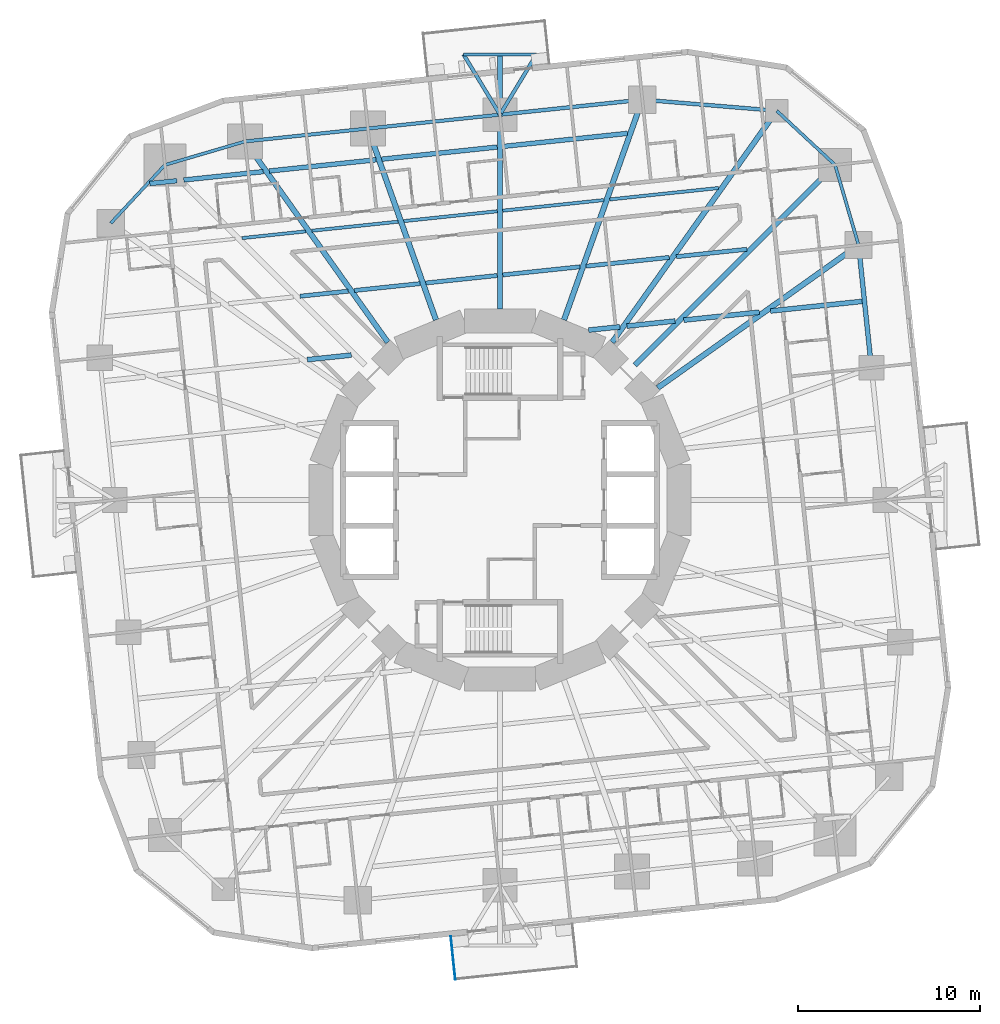
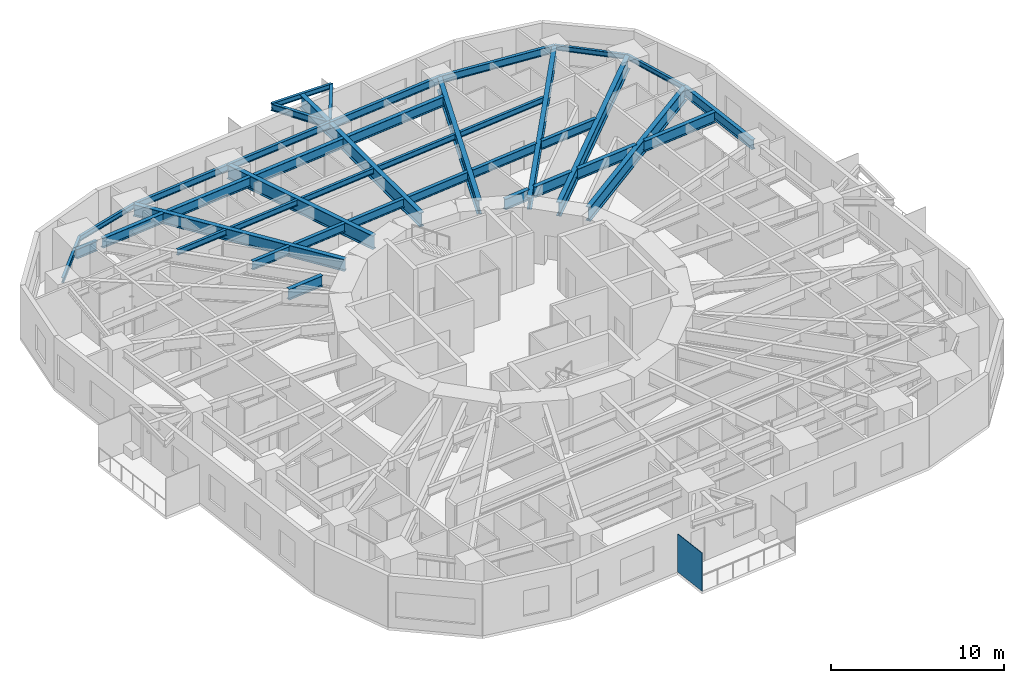
# One storey, part 3 of 13: 40 beams, 1 plate.
"""IFC4 building model written with IfcOpenShell, lengths in metres."""

from ifc_helpers import new_model, si_unit, direction, frame, origin, origin_2d, place, context, subcontext, project, spatial, rectangle, i_section, extrude, material, layer, layer_set, material_profile, profile_set, type_object, element, save


model = new_model("IFC4")

# Units and contexts
model_context = context("Model", 3, precision=1e-05, world=origin(), true_north=direction((0.0, 1.0)))
body_context = subcontext(model_context, "Body", "Model", "MODEL_VIEW")
ifc_project = project(units=[si_unit("LENGTHUNIT", "METRE"), si_unit("AREAUNIT", "SQUARE_METRE"), si_unit("VOLUMEUNIT", "CUBIC_METRE"), si_unit("PLANEANGLEUNIT", "RADIAN"), si_unit("MASSUNIT", "GRAM", prefix="KILO")], contexts=[model_context])

# Site, building, storey
site_placement = place(None, origin())
site = spatial("IfcSite", under=ifc_project, at=site_placement, CompositionType="ELEMENT")
building_placement = place(site_placement, origin())
building = spatial("IfcBuilding", under=site, at=building_placement, Name="Nakasero Lantern House", CompositionType="ELEMENT")
storey_placement = place(building_placement, frame((0.0, 0.0, 75.89990234375)))
storey = spatial("IfcBuildingStorey", under=building, at=storey_placement, Name="L18", CompositionType="ELEMENT", Elevation=75.89990234375)

# Beams
ifc_material_1 = material(Name="Steel S355", Category="steel")
ifc_material_profile_1 = material_profile(ifc_material_1, i_section(OverallWidth=0.199462890625, OverallDepth=0.491943359375, WebThickness=0.01806640625, FlangeThickness=0.031982421875, FilletRadius=0.01025390625, at=origin_2d()), Name="UB 457x191x161")
ifc_profile_set_1 = profile_set([ifc_material_profile_1], Name="Steel S355")
beam_type_1 = type_object("IfcBeamType", Name="Balcony splay beam UB 457x191x161", PredefinedType="BEAM", material=ifc_profile_set_1)
for number, where, z_axis, x_axis, name in (
    (1, (0.0, 21.11572265625, 3.404052734375), (-0.518296107317, 0.855201230787, 0.0), (-0.855201230787, -0.518296107317, 0.0), "Balcony splay beam L19 B2-C09A"),
    (2, (0.0, 21.11572265625, 3.404052734375), (0.518296107317, 0.855201230787, 0.0), (-0.855201230787, 0.518296107317, 0.0), "Balcony splay beam L19 B2-C09B"),
):
    element("IfcBeam", number, at=place(storey_placement, frame(where, z_axis=z_axis, x_axis=x_axis)), inside=storey, type_object=beam_type_1, Name=name, PredefinedType="BEAM", context=body_context, shape_type="SweptSolid", body=[
        extrude(i_section(OverallWidth=0.199462890625, OverallDepth=0.491943359375, WebThickness=0.01806640625, FlangeThickness=0.031982421875, FilletRadius=0.01025390625, at=origin_2d()), origin(), (0.0, 0.0, 1.0), 3.85888671875),
    ])
ifc_material_2 = material(Name="Steel S355", Category="steel")
ifc_material_profile_2 = material_profile(ifc_material_2, i_section(OverallWidth=0.17138671875, OverallDepth=0.35498046875, WebThickness=0.00732421875, FlangeThickness=0.011474609375, FilletRadius=0.01025390625, at=origin_2d()), Name="UB 356x171x51")
ifc_profile_set_2 = profile_set([ifc_material_profile_2], Name="Steel S355")
beam_type_2 = type_object("IfcBeamType", Name="Balcony tie beam UB 356x171x51", PredefinedType="BEAM", material=ifc_profile_set_2)
beam_1_placement = place(storey_placement, frame((-2.0, 24.415771484375, 3.47265625), z_axis=(1.0, 0.0, 0.0), x_axis=(0.0, 1.0, 0.0)))
element("IfcBeam", 3, at=beam_1_placement, inside=storey, type_object=beam_type_2, Name="Balcony tie beam L19 B2-C09", PredefinedType="BEAM", context=body_context, shape_type="SweptSolid", body=[
    extrude(i_section(OverallWidth=0.17138671875, OverallDepth=0.35498046875, WebThickness=0.00732421875, FlangeThickness=0.011474609375, FilletRadius=0.01025390625, at=origin_2d()), origin(), (0.0, 0.0, 1.0), 4.0),
])
ifc_material_3 = material(Name="Steel S355", Category="steel")
ifc_material_profile_3 = material_profile(ifc_material_3, i_section(OverallWidth=0.177978515625, OverallDepth=0.406494140625, WebThickness=0.0078125, FlangeThickness=0.0126953125, FilletRadius=0.01025390625, at=origin_2d()), Name="UB 406x178x60")
ifc_profile_set_3 = profile_set([ifc_material_profile_3], Name="Steel S355")
beam_type_3 = type_object("IfcBeamType", Name="Infill beam UB 406x178x60", PredefinedType="JOIST", material=ifc_profile_set_3)
beam_2_placement = place(storey_placement, frame((-14.1435546875, 14.35009765625, 3.44677734375), z_axis=(0.994521415391, 0.104533029842, 0.0), x_axis=(-0.104533029842, 0.994521415391, 0.0)))
element("IfcBeam", 4, at=beam_2_placement, inside=storey, type_object=beam_type_3, Name="Infill beam L19 12.3", PredefinedType="JOIST", context=body_context, shape_type="SweptSolid", body=[
    extrude(i_section(OverallWidth=0.177978515625, OverallDepth=0.406494140625, WebThickness=0.0078125, FlangeThickness=0.0126953125, FilletRadius=0.01025390625, at=origin_2d()), origin(), (0.0, 0.0, 1.0), 3.517333984375),
])
beam_3_placement = place(storey_placement, frame((-10.3115234375, 14.7529296875, 3.44677734375), z_axis=(0.994523439889, 0.104513767091, 0.0), x_axis=(-0.104513767091, 0.994523439889, 0.0)))
element("IfcBeam", 5, at=beam_3_placement, inside=storey, type_object=beam_type_3, Name="Infill beam L19 12.4", PredefinedType="JOIST", context=body_context, shape_type="SweptSolid", body=[
    extrude(i_section(OverallWidth=0.177978515625, OverallDepth=0.406494140625, WebThickness=0.0078125, FlangeThickness=0.0126953125, FilletRadius=0.01025390625, at=origin_2d()), origin(), (0.0, 0.0, 1.0), 4.756103515625),
])
beam_4_placement = place(storey_placement, frame((-5.2744140625, 15.282470703125, 3.44677734375), z_axis=(0.994522574566, 0.104522000929, 0.0), x_axis=(-0.104522000929, 0.994522574566, 0.0)))
element("IfcBeam", 6, at=beam_4_placement, inside=storey, type_object=beam_type_3, Name="Infill beam L19 12.5", PredefinedType="JOIST", context=body_context, shape_type="SweptSolid", body=[
    extrude(i_section(OverallWidth=0.177978515625, OverallDepth=0.406494140625, WebThickness=0.0078125, FlangeThickness=0.0126953125, FilletRadius=0.01025390625, at=origin_2d()), origin(), (0.0, 0.0, 1.0), 5.15283203125),
])
beam_5_placement = place(storey_placement, frame((0.14990234375, 15.8525390625, 3.44677734375), z_axis=(0.994524188375, 0.104506644464, 0.0), x_axis=(-0.104506644464, 0.994524188375, 0.0)))
element("IfcBeam", 7, at=beam_5_placement, inside=storey, type_object=beam_type_3, Name="Infill beam L19 12.6", PredefinedType="JOIST", context=body_context, shape_type="SweptSolid", body=[
    extrude(i_section(OverallWidth=0.177978515625, OverallDepth=0.406494140625, WebThickness=0.0078125, FlangeThickness=0.0126953125, FilletRadius=0.01025390625, at=origin_2d()), origin(), (0.0, 0.0, 1.0), 5.564697265625),
])
beam_6_placement = place(storey_placement, frame((6.014892578125, 16.468994140625, 3.44677734375), z_axis=(0.994521729164, 0.104530044579, 0.0), x_axis=(-0.104530044579, 0.994521729164, 0.0)))
element("IfcBeam", 8, at=beam_6_placement, inside=storey, type_object=beam_type_3, Name="Infill beam L19 12.7", PredefinedType="JOIST", context=body_context, shape_type="SweptSolid", body=[
    extrude(i_section(OverallWidth=0.177978515625, OverallDepth=0.406494140625, WebThickness=0.0078125, FlangeThickness=0.0126953125, FilletRadius=0.01025390625, at=origin_2d()), origin(), (0.0, 0.0, 1.0), 5.99560546875),
])
ifc_material_4 = material(Name="Steel S355", Category="steel")
ifc_material_profile_4 = material_profile(ifc_material_4, i_section(OverallWidth=0.22900390625, OverallDepth=0.6123046875, WebThickness=0.011962890625, FlangeThickness=0.01953125, FilletRadius=0.0126953125, at=origin_2d()), Name="UB 610x229x125")
ifc_profile_set_4 = profile_set([ifc_material_profile_4], Name="Steel S355")
beam_type_4 = type_object("IfcBeamType", Name="Infill beam UB 610x229x125", PredefinedType="JOIST", material=ifc_profile_set_4)
beam_7_placement = place(storey_placement, frame((-10.958984375, 11.165771484375, 3.343994140625), z_axis=(0.994526079282, 0.104488648322, 0.0), x_axis=(-0.104488648322, 0.994526079282, 0.0)))
element("IfcBeam", 9, at=beam_7_placement, inside=storey, type_object=beam_type_4, Name="Infill beam L19 11.3", PredefinedType="JOIST", context=body_context, shape_type="SweptSolid", body=[
    extrude(i_section(OverallWidth=0.22900390625, OverallDepth=0.6123046875, WebThickness=0.011962890625, FlangeThickness=0.01953125, FilletRadius=0.0126953125, at=origin_2d()), origin(), (0.0, 0.0, 1.0), 2.65673828125),
])
beam_8_placement = place(storey_placement, frame((-7.983154296875, 11.478515625, 3.343994140625), z_axis=(0.994523507044, 0.104513128058, 0.0), x_axis=(-0.104513128058, 0.994523507044, 0.0)))
element("IfcBeam", 10, at=beam_8_placement, inside=storey, type_object=beam_type_4, Name="Infill beam L19 11.4", PredefinedType="JOIST", context=body_context, shape_type="SweptSolid", body=[
    extrude(i_section(OverallWidth=0.22900390625, OverallDepth=0.6123046875, WebThickness=0.011962890625, FlangeThickness=0.01953125, FilletRadius=0.0126953125, at=origin_2d()), origin(), (0.0, 0.0, 1.0), 3.627685546875),
])
beam_9_placement = place(storey_placement, frame((-4.068359375, 11.889892578125, 3.343994140625), z_axis=(0.994521399206, 0.104533183829, 0.0), x_axis=(-0.104533183829, 0.994521399206, 0.0)))
element("IfcBeam", 11, at=beam_9_placement, inside=storey, type_object=beam_type_4, Name="Infill beam L19 11.5", PredefinedType="JOIST", context=body_context, shape_type="SweptSolid", body=[
    extrude(i_section(OverallWidth=0.22900390625, OverallDepth=0.6123046875, WebThickness=0.011962890625, FlangeThickness=0.01953125, FilletRadius=0.0126953125, at=origin_2d()), origin(), (0.0, 0.0, 1.0), 3.93994140625),
])
beam_10_placement = place(storey_placement, frame((0.14990234375, 12.333251953125, 3.343994140625), z_axis=(0.994521465317, 0.104532554847, 0.0), x_axis=(-0.104532554847, 0.994521465317, 0.0)))
element("IfcBeam", 12, at=beam_10_placement, inside=storey, type_object=beam_type_4, Name="Infill beam L19 11.6", PredefinedType="JOIST", context=body_context, shape_type="SweptSolid", body=[
    extrude(i_section(OverallWidth=0.22900390625, OverallDepth=0.6123046875, WebThickness=0.011962890625, FlangeThickness=0.01953125, FilletRadius=0.0126953125, at=origin_2d()), origin(), (0.0, 0.0, 1.0), 4.2578125),
])
beam_11_placement = place(storey_placement, frame((4.71484375, 12.81298828125, 3.343994140625), z_axis=(0.994522952874, 0.104518401282, 0.0), x_axis=(-0.104518401282, 0.994522952874, 0.0)))
element("IfcBeam", 13, at=beam_11_placement, inside=storey, type_object=beam_type_4, Name="Infill beam L19 11.7", PredefinedType="JOIST", context=body_context, shape_type="SweptSolid", body=[
    extrude(i_section(OverallWidth=0.22900390625, OverallDepth=0.6123046875, WebThickness=0.011962890625, FlangeThickness=0.01953125, FilletRadius=0.0126953125, at=origin_2d()), origin(), (0.0, 0.0, 1.0), 4.5830078125),
])
beam_12_placement = place(storey_placement, frame((9.66064453125, 13.332763671875, 3.343994140625), z_axis=(0.99451886442, 0.10455729679, 0.0), x_axis=(-0.10455729679, 0.99451886442, 0.0)))
element("IfcBeam", 14, at=beam_12_placement, inside=storey, type_object=beam_type_4, Name="Infill beam L19 11.8", PredefinedType="JOIST", context=body_context, shape_type="SweptSolid", body=[
    extrude(i_section(OverallWidth=0.22900390625, OverallDepth=0.6123046875, WebThickness=0.011962890625, FlangeThickness=0.01953125, FilletRadius=0.0126953125, at=origin_2d()), origin(), (0.0, 0.0, 1.0), 3.8876953125),
])
ifc_material_5 = material(Name="Steel S355", Category="steel")
ifc_material_profile_5 = material_profile(ifc_material_5, i_section(OverallWidth=0.255859375, OverallDepth=0.69287109375, WebThickness=0.014404296875, FlangeThickness=0.023681640625, FilletRadius=0.01513671875, at=origin_2d()), Name="UB 686x254x170")
ifc_profile_set_5 = profile_set([ifc_material_profile_5], Name="Steel S355")
beam_type_5 = type_object("IfcBeamType", Name="Infill beam UB 686x254x170", PredefinedType="JOIST", material=ifc_profile_set_5)
beam_13_placement = place(storey_placement, frame((-19.190673828125, 17.339111328125, 3.3037109375), z_axis=(0.994535800288, 0.104396082038, 0.0), x_axis=(-0.104396082038, 0.994535800288, 0.0)))
element("IfcBeam", 15, at=beam_13_placement, inside=storey, type_object=beam_type_5, Name="Infill beam L19 13.1", PredefinedType="JOIST", context=body_context, shape_type="SweptSolid", body=[
    extrude(i_section(OverallWidth=0.255859375, OverallDepth=0.69287109375, WebThickness=0.014404296875, FlangeThickness=0.023681640625, FilletRadius=0.01513671875, at=origin_2d()), origin(), (0.0, 0.0, 1.0), 1.49658203125),
])
beam_14_placement = place(storey_placement, frame((-17.328125, 17.53466796875, 3.3037109375), z_axis=(0.994518584312, 0.104559961062, 0.0), x_axis=(-0.104559961062, 0.994518584312, 0.0)))
element("IfcBeam", 16, at=beam_14_placement, inside=storey, type_object=beam_type_5, Name="Infill beam L19 13.2", PredefinedType="JOIST", context=body_context, shape_type="SweptSolid", body=[
    extrude(i_section(OverallWidth=0.255859375, OverallDepth=0.69287109375, WebThickness=0.014404296875, FlangeThickness=0.023681640625, FilletRadius=0.01513671875, at=origin_2d()), origin(), (0.0, 0.0, 1.0), 4.3779296875),
])
beam_15_placement = place(storey_placement, frame((-12.64013671875, 18.027587890625, 3.3037109375), z_axis=(0.994524304789, 0.104505536616, 0.0), x_axis=(-0.104505536616, 0.994524304789, 0.0)))
element("IfcBeam", 17, at=beam_15_placement, inside=storey, type_object=beam_type_5, Name="Infill beam L19 13.3", PredefinedType="JOIST", context=body_context, shape_type="SweptSolid", body=[
    extrude(i_section(OverallWidth=0.255859375, OverallDepth=0.69287109375, WebThickness=0.014404296875, FlangeThickness=0.023681640625, FilletRadius=0.01513671875, at=origin_2d()), origin(), (0.0, 0.0, 1.0), 5.884765625),
])
beam_16_placement = place(storey_placement, frame((-6.480712890625, 18.6748046875, 3.3037109375), z_axis=(0.994519733917, 0.104549026056, 0.0), x_axis=(-0.104549026056, 0.994519733917, 0.0)))
element("IfcBeam", 18, at=beam_16_placement, inside=storey, type_object=beam_type_5, Name="Infill beam L19 13.4", PredefinedType="JOIST", context=body_context, shape_type="SweptSolid", body=[
    extrude(i_section(OverallWidth=0.255859375, OverallDepth=0.69287109375, WebThickness=0.014404296875, FlangeThickness=0.023681640625, FilletRadius=0.01513671875, at=origin_2d()), origin(), (0.0, 0.0, 1.0), 6.36572265625),
])
beam_17_placement = place(storey_placement, frame((0.14990234375, 19.371826171875, 3.3037109375), z_axis=(0.994522182542, 0.10452573096, 0.0), x_axis=(-0.10452573096, 0.994522182542, 0.0)))
element("IfcBeam", 19, at=beam_17_placement, inside=storey, type_object=beam_type_5, Name="Infill beam L19 13.5", PredefinedType="JOIST", context=body_context, shape_type="SweptSolid", body=[
    extrude(i_section(OverallWidth=0.255859375, OverallDepth=0.69287109375, WebThickness=0.014404296875, FlangeThickness=0.023681640625, FilletRadius=0.01513671875, at=origin_2d()), origin(), (0.0, 0.0, 1.0), 6.87158203125),
])
ifc_material_6 = material(Name="Steel S355", Category="steel")
ifc_material_profile_6 = material_profile(ifc_material_6, i_section(OverallWidth=0.2666015625, OverallDepth=0.76220703125, WebThickness=0.014404296875, FlangeThickness=0.021484375, FilletRadius=0.0166015625, at=origin_2d()), Name="UB 762x267x173")
ifc_profile_set_6 = profile_set([ifc_material_profile_6], Name="Steel S355")
beam_type_6 = type_object("IfcBeamType", Name="Infill beam UB 762x267x173", PredefinedType="JOIST", material=ifc_profile_set_6)
beam_18_placement = place(storey_placement, frame((-10.5537109375, 7.68896484375, 3.26904296875), z_axis=(0.99452700398, 0.104479846642, 0.0), x_axis=(-0.104479846642, 0.99452700398, 0.0)))
element("IfcBeam", 20, at=beam_18_placement, inside=storey, type_object=beam_type_6, Name="Infill beam L19 10.3", PredefinedType="JOIST", context=body_context, shape_type="SweptSolid", body=[
    extrude(i_section(OverallWidth=0.2666015625, OverallDepth=0.76220703125, WebThickness=0.014404296875, FlangeThickness=0.021484375, FilletRadius=0.0166015625, at=origin_2d()), origin(), (0.0, 0.0, 1.0), 2.41845703125),
])
beam_19_placement = place(storey_placement, frame((4.85498046875, 9.30859375, 3.26904296875), z_axis=(0.994529501552, 0.104456069922, 0.0), x_axis=(-0.104456069922, 0.994529501552, 0.0)))
element("IfcBeam", 21, at=beam_19_placement, inside=storey, type_object=beam_type_6, Name="Infill beam L19 10.4", PredefinedType="JOIST", context=body_context, shape_type="SweptSolid", body=[
    extrude(i_section(OverallWidth=0.2666015625, OverallDepth=0.76220703125, WebThickness=0.014404296875, FlangeThickness=0.021484375, FilletRadius=0.0166015625, at=origin_2d()), origin(), (0.0, 0.0, 1.0), 1.72265625),
])
beam_20_placement = place(storey_placement, frame((6.955810546875, 9.529296875, 3.26904296875), z_axis=(0.994521575627, 0.104531505358, 0.0), x_axis=(-0.104531505358, 0.994521575627, 0.0)))
element("IfcBeam", 22, at=beam_20_placement, inside=storey, type_object=beam_type_6, Name="Infill beam L19 10.5", PredefinedType="JOIST", context=body_context, shape_type="SweptSolid", body=[
    extrude(i_section(OverallWidth=0.2666015625, OverallDepth=0.76220703125, WebThickness=0.014404296875, FlangeThickness=0.021484375, FilletRadius=0.0166015625, at=origin_2d()), origin(), (0.0, 0.0, 1.0), 2.6533203125),
])
beam_21_placement = place(storey_placement, frame((10.068603515625, 9.8564453125, 3.26904296875), z_axis=(0.994522134672, 0.104526186418, 0.0), x_axis=(-0.104526186418, 0.994522134672, 0.0)))
element("IfcBeam", 23, at=beam_21_placement, inside=storey, type_object=beam_type_6, Name="Infill beam L19 10.6", PredefinedType="JOIST", context=body_context, shape_type="SweptSolid", body=[
    extrude(i_section(OverallWidth=0.2666015625, OverallDepth=0.76220703125, WebThickness=0.014404296875, FlangeThickness=0.021484375, FilletRadius=0.0166015625, at=origin_2d()), origin(), (0.0, 0.0, 1.0), 4.166748046875),
])
beam_22_placement = place(storey_placement, frame((14.823974609375, 10.356201171875, 3.26904296875), z_axis=(0.994520551882, 0.104541244898, 0.0), x_axis=(-0.104541244898, 0.994520551882, 0.0)))
element("IfcBeam", 24, at=beam_22_placement, inside=storey, type_object=beam_type_6, Name="Infill beam L19 10.7", PredefinedType="JOIST", context=body_context, shape_type="SweptSolid", body=[
    extrude(i_section(OverallWidth=0.2666015625, OverallDepth=0.76220703125, WebThickness=0.014404296875, FlangeThickness=0.021484375, FilletRadius=0.0166015625, at=origin_2d()), origin(), (0.0, 0.0, 1.0), 5.046630859375),
])
ifc_material_7 = material(Name="Steel S355", Category="steel")
ifc_material_profile_7 = material_profile(ifc_material_7, i_section(OverallWidth=0.300048828125, OverallDepth=0.97998046875, WebThickness=0.0166015625, FlangeThickness=0.02587890625, FilletRadius=0.030029296875, at=origin_2d()), Name="UB 1016x305x249")
ifc_profile_set_7 = profile_set([ifc_material_profile_7], Name="Steel S355")
beam_type_7 = type_object("IfcBeamType", Name="Primary beam UB 1016x305x249, span 12 to 15 m", PredefinedType="BEAM", material=ifc_profile_set_7)
beam_23_placement = place(storey_placement, frame((7.79931640625, 21.935302734375, 3.16015625), z_axis=(-0.335017564047, -0.942211882636, 0.0), x_axis=(0.942211882636, -0.335017564047, 0.0)))
element("IfcBeam", 25, at=beam_23_placement, inside=storey, type_object=beam_type_7, Name="Primary beam L19 B2-C08", PredefinedType="BEAM", context=body_context, shape_type="SweptSolid", body=[
    extrude(i_section(OverallWidth=0.300048828125, OverallDepth=0.97998046875, WebThickness=0.0166015625, FlangeThickness=0.02587890625, FilletRadius=0.030029296875, at=origin_2d()), origin(), (0.0, 0.0, 1.0), 12.80908203125),
])
ifc_material_8 = material(Name="Steel S355", Category="steel")
ifc_material_profile_8 = material_profile(ifc_material_8, i_section(OverallWidth=0.300048828125, OverallDepth=0.97998046875, WebThickness=0.0166015625, FlangeThickness=0.02587890625, FilletRadius=0.030029296875, at=origin_2d()), Name="UB 1016x305x249")
ifc_profile_set_8 = profile_set([ifc_material_profile_8], Name="Steel S355")
beam_type_8 = type_object("IfcBeamType", Name="Primary beam UB 1016x305x249, span 9 to 12 m", PredefinedType="BEAM", material=ifc_profile_set_8)
beam_24_placement = place(storey_placement, frame((-7.2373046875, 20.35498046875, 3.16015625), z_axis=(0.335009234979, -0.942214844119, 0.0), x_axis=(0.942214844119, 0.335009234979, 0.0)))
element("IfcBeam", 26, at=beam_24_placement, inside=storey, type_object=beam_type_8, Name="Primary beam L19 B2-C10", PredefinedType="BEAM", context=body_context, shape_type="SweptSolid", body=[
    extrude(i_section(OverallWidth=0.300048828125, OverallDepth=0.97998046875, WebThickness=0.0166015625, FlangeThickness=0.02587890625, FilletRadius=0.030029296875, at=origin_2d()), origin(), (0.0, 0.0, 1.0), 11.1318359375),
])
ifc_material_9 = material(Name="Steel S355", Category="steel")
ifc_material_profile_9 = material_profile(ifc_material_9, i_section(OverallWidth=0.300048828125, OverallDepth=0.989990234375, WebThickness=0.0166015625, FlangeThickness=0.031005859375, FilletRadius=0.030029296875, at=origin_2d()), Name="UB 1016x305x272")
ifc_profile_set_9 = profile_set([ifc_material_profile_9], Name="Steel S355")
beam_type_9 = type_object("IfcBeamType", Name="Primary beam UB 1016x305x272, span over 15 m", PredefinedType="BEAM", material=ifc_profile_set_9)
beam_25_placement = place(storey_placement, frame((18.359375, 18.359375, 3.155029296875), z_axis=(-0.707106781187, -0.707106781187, 0.0), x_axis=(0.707106781187, -0.707106781187, 0.0)))
element("IfcBeam", 27, at=beam_25_placement, inside=storey, type_object=beam_type_9, Name="Primary beam L19 B2-C06", PredefinedType="BEAM", context=body_context, shape_type="SweptSolid", body=[
    extrude(i_section(OverallWidth=0.300048828125, OverallDepth=0.989990234375, WebThickness=0.0166015625, FlangeThickness=0.031005859375, FilletRadius=0.030029296875, at=origin_2d()), origin(), (0.0, 0.0, 1.0), 15.50634765625),
])
ifc_material_10 = material(Name="Steel S355", Category="steel")
ifc_material_profile_10 = material_profile(ifc_material_10, i_section(OverallWidth=0.300048828125, OverallDepth=1.0, WebThickness=0.01904296875, FlangeThickness=0.035888671875, FilletRadius=0.030029296875, at=origin_2d()), Name="UB 1016x305x314")
ifc_profile_set_10 = profile_set([ifc_material_profile_10], Name="Steel S355")
beam_type_10 = type_object("IfcBeamType", Name="Primary beam UB 1016x305x314, span 9 to 12 m", PredefinedType="BEAM", material=ifc_profile_set_10)
beam_26_placement = place(storey_placement, frame((0.0, 24.415771484375, 3.150146484375), z_axis=(0.0, -1.0, 0.0), x_axis=(1.0, 0.0, 0.0)))
element("IfcBeam", 28, at=beam_26_placement, inside=storey, type_object=beam_type_10, Name="Primary beam L19 B2-C09", PredefinedType="BEAM", context=body_context, shape_type="SweptSolid", body=[
    extrude(i_section(OverallWidth=0.300048828125, OverallDepth=1.0, WebThickness=0.01904296875, FlangeThickness=0.035888671875, FilletRadius=0.030029296875, at=origin_2d()), origin(), (0.0, 0.0, 1.0), 13.9580078125),
])
ifc_material_11 = material(Name="Steel S355", Category="steel")
ifc_material_profile_11 = material_profile(ifc_material_11, i_section(OverallWidth=0.302001953125, OverallDepth=1.008056640625, WebThickness=0.02099609375, FlangeThickness=0.0400390625, FilletRadius=0.030029296875, at=origin_2d()), Name="UB 1016x305x349")
ifc_profile_set_11 = profile_set([ifc_material_profile_11], Name="Steel S355")
beam_type_11 = type_object("IfcBeamType", Name="Primary beam UB 1016x305x349, span 12 to 15 m", PredefinedType="BEAM", material=ifc_profile_set_11)
beam_27_placement = place(storey_placement, frame((19.647216796875, 13.971435546875, 3.14599609375), z_axis=(-0.814948492976, -0.579533393168, 0.0), x_axis=(0.579533393168, -0.814948492976, 0.0)))
element("IfcBeam", 29, at=beam_27_placement, inside=storey, type_object=beam_type_11, Name="Primary beam L19 B2-C05", PredefinedType="BEAM", context=body_context, shape_type="SweptSolid", body=[
    extrude(i_section(OverallWidth=0.302001953125, OverallDepth=1.008056640625, WebThickness=0.02099609375, FlangeThickness=0.0400390625, FilletRadius=0.030029296875, at=origin_2d()), origin(), (0.0, 0.0, 1.0), 13.502685546875),
])
ifc_material_12 = material(Name="Steel S355", Category="steel")
ifc_material_profile_12 = material_profile(ifc_material_12, i_section(OverallWidth=0.29248046875, OverallDepth=0.8408203125, WebThickness=0.0146484375, FlangeThickness=0.02685546875, FilletRadius=0.017822265625, at=origin_2d()), Name="UB 838x292x194")
ifc_profile_set_12 = profile_set([ifc_material_profile_12], Name="Steel S355")
beam_type_12 = type_object("IfcBeamType", Name="Primary beam UB 838x292x194, span 12 to 15 m", PredefinedType="BEAM", material=ifc_profile_set_12)
beam_28_placement = place(storey_placement, frame((-13.971435546875, 19.647216796875, 3.229736328125), z_axis=(0.579533393168, -0.814948492976, 0.0), x_axis=(0.814948492976, 0.579533393168, 0.0)))
element("IfcBeam", 30, at=beam_28_placement, inside=storey, type_object=beam_type_12, Name="Primary beam L19 B2-C11", PredefinedType="BEAM", context=body_context, shape_type="SweptSolid", body=[
    extrude(i_section(OverallWidth=0.29248046875, OverallDepth=0.8408203125, WebThickness=0.0146484375, FlangeThickness=0.02685546875, FilletRadius=0.017822265625, at=origin_2d()), origin(), (0.0, 0.0, 1.0), 13.502685546875),
])
ifc_material_13 = material(Name="Steel S355", Category="steel")
ifc_material_profile_13 = material_profile(ifc_material_13, i_section(OverallWidth=0.29248046875, OverallDepth=0.8408203125, WebThickness=0.0146484375, FlangeThickness=0.02685546875, FilletRadius=0.017822265625, at=origin_2d()), Name="UB 838x292x194")
ifc_profile_set_13 = profile_set([ifc_material_profile_13], Name="Steel S355")
beam_type_13 = type_object("IfcBeamType", Name="Primary beam UB 838x292x194, span over 15 m", PredefinedType="BEAM", material=ifc_profile_set_13)
beam_29_placement = place(storey_placement, frame((15.16650390625, 21.327880859375, 3.229736328125), z_axis=(-0.57952911085, -0.814951538239, 0.0), x_axis=(0.814951538239, -0.57952911085, 0.0)))
element("IfcBeam", 31, at=beam_29_placement, inside=storey, type_object=beam_type_13, Name="Primary beam L19 B2-C07", PredefinedType="BEAM", context=body_context, shape_type="SweptSolid", body=[
    extrude(i_section(OverallWidth=0.29248046875, OverallDepth=0.8408203125, WebThickness=0.0146484375, FlangeThickness=0.02685546875, FilletRadius=0.017822265625, at=origin_2d()), origin(), (0.0, 0.0, 1.0), 15.564697265625),
])
ifc_material_14 = material(Name="Steel S355", Category="steel")
ifc_material_profile_14 = material_profile(ifc_material_14, i_section(OverallWidth=0.17138671875, OverallDepth=0.35498046875, WebThickness=0.00732421875, FlangeThickness=0.011474609375, FilletRadius=0.01025390625, at=origin_2d()), Name="UB 356x171x51")
ifc_profile_set_14 = profile_set([ifc_material_profile_14], Name="Steel S355")
beam_type_14 = type_object("IfcBeamType", Name="Ring beam UB 356x171x51", PredefinedType="BEAM", material=ifc_profile_set_14)
beam_30_placement = place(storey_placement, frame((19.647216796875, 13.971435546875, 3.47265625), z_axis=(-0.28161710443, 0.959526865957, 0.0), x_axis=(-0.959526865957, -0.28161710443, 0.0)))
element("IfcBeam", 32, at=beam_30_placement, inside=storey, type_object=beam_type_14, Name="Ring beam L19 B2-C05", PredefinedType="BEAM", context=body_context, shape_type="SweptSolid", body=[
    extrude(i_section(OverallWidth=0.17138671875, OverallDepth=0.35498046875, WebThickness=0.00732421875, FlangeThickness=0.011474609375, FilletRadius=0.01025390625, at=origin_2d()), origin(), (0.0, 0.0, 1.0), 4.572998046875),
])
beam_31_placement = place(storey_placement, frame((18.359375, 18.359375, 3.47265625), z_axis=(-0.732370510336, 0.680906333933, 0.0), x_axis=(-0.680906333933, -0.732370510336, 0.0)))
element("IfcBeam", 33, at=beam_31_placement, inside=storey, type_object=beam_type_14, Name="Ring beam L19 B2-C06", PredefinedType="BEAM", context=body_context, shape_type="SweptSolid", body=[
    extrude(i_section(OverallWidth=0.17138671875, OverallDepth=0.35498046875, WebThickness=0.00732421875, FlangeThickness=0.011474609375, FilletRadius=0.01025390625, at=origin_2d()), origin(), (0.0, 0.0, 1.0), 4.359619140625),
])
beam_32_placement = place(storey_placement, frame((-13.971435546875, 19.647216796875, 3.47265625), z_axis=(-0.959526865957, -0.28161710443, 0.0), x_axis=(0.28161710443, -0.959526865957, 0.0)))
element("IfcBeam", 34, at=beam_32_placement, inside=storey, type_object=beam_type_14, Name="Ring beam L19 B2-C11", PredefinedType="BEAM", context=body_context, shape_type="SweptSolid", body=[
    extrude(i_section(OverallWidth=0.17138671875, OverallDepth=0.35498046875, WebThickness=0.00732421875, FlangeThickness=0.011474609375, FilletRadius=0.01025390625, at=origin_2d()), origin(), (0.0, 0.0, 1.0), 4.572998046875),
])
beam_33_placement = place(storey_placement, frame((-18.359375, 18.359375, 3.47265625), z_axis=(-0.680906333933, -0.732370510336, 0.0), x_axis=(0.732370510336, -0.680906333933, 0.0)))
element("IfcBeam", 35, at=beam_33_placement, inside=storey, type_object=beam_type_14, Name="Ring beam L19 B2-C12", PredefinedType="BEAM", context=body_context, shape_type="SweptSolid", body=[
    extrude(i_section(OverallWidth=0.17138671875, OverallDepth=0.35498046875, WebThickness=0.00732421875, FlangeThickness=0.011474609375, FilletRadius=0.01025390625, at=origin_2d()), origin(), (0.0, 0.0, 1.0), 4.359619140625),
])
ifc_material_15 = material(Name="Steel S355", Category="steel")
ifc_material_profile_15 = material_profile(ifc_material_15, i_section(OverallWidth=0.18994140625, OverallDepth=0.453369140625, WebThickness=0.008544921875, FlangeThickness=0.0126953125, FilletRadius=0.01025390625, at=origin_2d()), Name="UB 457x191x67")
ifc_profile_set_15 = profile_set([ifc_material_profile_15], Name="Steel S355")
beam_type_15 = type_object("IfcBeamType", Name="Ring beam UB 457x191x67", PredefinedType="BEAM", material=ifc_profile_set_15)
beam_34_placement = place(storey_placement, frame((-7.2373046875, 20.35498046875, 3.42333984375), z_axis=(-0.994522233155, -0.10452524939, 0.0), x_axis=(0.10452524939, -0.994522233155, 0.0)))
element("IfcBeam", 36, at=beam_34_placement, inside=storey, type_object=beam_type_15, Name="Ring beam L19 B2-C10", PredefinedType="BEAM", context=body_context, shape_type="SweptSolid", body=[
    extrude(i_section(OverallWidth=0.18994140625, OverallDepth=0.453369140625, WebThickness=0.008544921875, FlangeThickness=0.0126953125, FilletRadius=0.01025390625, at=origin_2d()), origin(), (0.0, 0.0, 1.0), 6.771240234375),
])
ifc_material_16 = material(Name="Steel S355", Category="steel")
ifc_material_profile_16 = material_profile(ifc_material_16, i_section(OverallWidth=0.19140625, OverallDepth=0.4599609375, WebThickness=0.010009765625, FlangeThickness=0.01611328125, FilletRadius=0.01025390625, at=origin_2d()), Name="UB 457x191x82")
ifc_profile_set_16 = profile_set([ifc_material_profile_16], Name="Steel S355")
beam_type_16 = type_object("IfcBeamType", Name="Ring beam UB 457x191x82", PredefinedType="BEAM", material=ifc_profile_set_16)
beam_35_placement = place(storey_placement, frame((0.0, 21.11572265625, 3.420166015625), z_axis=(-0.994520883746, -0.104538087767, 0.0), x_axis=(0.104538087767, -0.994520883746, 0.0)))
element("IfcBeam", 37, at=beam_35_placement, inside=storey, type_object=beam_type_16, Name="Ring beam L19 B2-C09", PredefinedType="BEAM", context=body_context, shape_type="SweptSolid", body=[
    extrude(i_section(OverallWidth=0.19140625, OverallDepth=0.4599609375, WebThickness=0.010009765625, FlangeThickness=0.01611328125, FilletRadius=0.01025390625, at=origin_2d()), origin(), (0.0, 0.0, 1.0), 7.277099609375),
])
ifc_material_17 = material(Name="Steel S355", Category="steel")
ifc_material_profile_17 = material_profile(ifc_material_17, i_section(OverallWidth=0.208740234375, OverallDepth=0.5283203125, WebThickness=0.009521484375, FlangeThickness=0.01318359375, FilletRadius=0.0126953125, at=origin_2d()), Name="UB 533x210x82")
ifc_profile_set_17 = profile_set([ifc_material_profile_17], Name="Steel S355")
beam_type_17 = type_object("IfcBeamType", Name="Ring beam UB 533x210x82", PredefinedType="BEAM", material=ifc_profile_set_17)
beam_36_placement = place(storey_placement, frame((15.16650390625, 21.327880859375, 3.385986328125), z_axis=(-0.996618261264, 0.08217080574, 0.0), x_axis=(-0.08217080574, -0.996618261264, 0.0)))
element("IfcBeam", 38, at=beam_36_placement, inside=storey, type_object=beam_type_17, Name="Ring beam L19 B2-C07", PredefinedType="BEAM", context=body_context, shape_type="SweptSolid", body=[
    extrude(i_section(OverallWidth=0.208740234375, OverallDepth=0.5283203125, WebThickness=0.009521484375, FlangeThickness=0.01318359375, FilletRadius=0.0126953125, at=origin_2d()), origin(), (0.0, 0.0, 1.0), 7.39208984375),
])
beam_37_placement = place(storey_placement, frame((7.79931640625, 21.935302734375, 3.385986328125), z_axis=(-0.994524030789, -0.104508144098, 0.0), x_axis=(0.104508144098, -0.994524030789, 0.0)))
element("IfcBeam", 39, at=beam_37_placement, inside=storey, type_object=beam_type_17, Name="Ring beam L19 B2-C08", PredefinedType="BEAM", context=body_context, shape_type="SweptSolid", body=[
    extrude(i_section(OverallWidth=0.208740234375, OverallDepth=0.5283203125, WebThickness=0.009521484375, FlangeThickness=0.01318359375, FilletRadius=0.0126953125, at=origin_2d()), origin(), (0.0, 0.0, 1.0), 7.84228515625),
])
ifc_material_18 = material(Name="Steel S355", Category="steel")
ifc_material_profile_18 = material_profile(ifc_material_18, i_section(OverallWidth=0.255859375, OverallDepth=0.69287109375, WebThickness=0.014404296875, FlangeThickness=0.023681640625, FilletRadius=0.01513671875, at=origin_2d()), Name="UB 686x254x170")
ifc_profile_set_18 = profile_set([ifc_material_profile_18], Name="Steel S355")
beam_type_18 = type_object("IfcBeamType", Name="Ring beam UB 686x254x170", PredefinedType="BEAM", material=ifc_profile_set_18)
beam_38_placement = place(storey_placement, frame((20.35498046875, 7.2373046875, 3.3037109375), z_axis=(-0.10452524939, 0.994522233155, 0.0), x_axis=(-0.994522233155, -0.10452524939, 0.0)))
element("IfcBeam", 40, at=beam_38_placement, inside=storey, type_object=beam_type_18, Name="Ring beam L19 B2-C04", PredefinedType="BEAM", context=body_context, shape_type="SweptSolid", body=[
    extrude(i_section(OverallWidth=0.255859375, OverallDepth=0.69287109375, WebThickness=0.014404296875, FlangeThickness=0.023681640625, FilletRadius=0.01513671875, at=origin_2d()), origin(), (0.0, 0.0, 1.0), 6.771240234375),
])

# Plate
ifc_material_19 = material(Name="Aluminium 6063-T6", Category="aluminium")
ifc_layer = layer(ifc_material_19, 0.0400390625)
ifc_layer_set = layer_set([ifc_layer], Name="Balcony screen 2400x2700")
plate_type = type_object("IfcPlateType", Name="Balcony screen 2400x2700", PredefinedType="SHEET", material=ifc_layer_set)
plate_placement = place(storey_placement, frame((-2.56982421875, -25.106201171875, 0.0), z_axis=(0.0, 0.0, 1.0), x_axis=(0.104528463268, -0.994521895368, 0.0)))
element("IfcPlate", 41, at=plate_placement, inside=storey, type_object=plate_type, Name="Balcony SCREEN L18 BAL3A", PredefinedType="SHEET", context=body_context, shape_type="SweptSolid", body=[
    extrude(rectangle(XDim=2.39990234375, YDim=0.0400390625, at=origin_2d()), origin(), (0.0, 0.0, 1.0), 2.699951171875),
])

save(model, "model.ifc")
